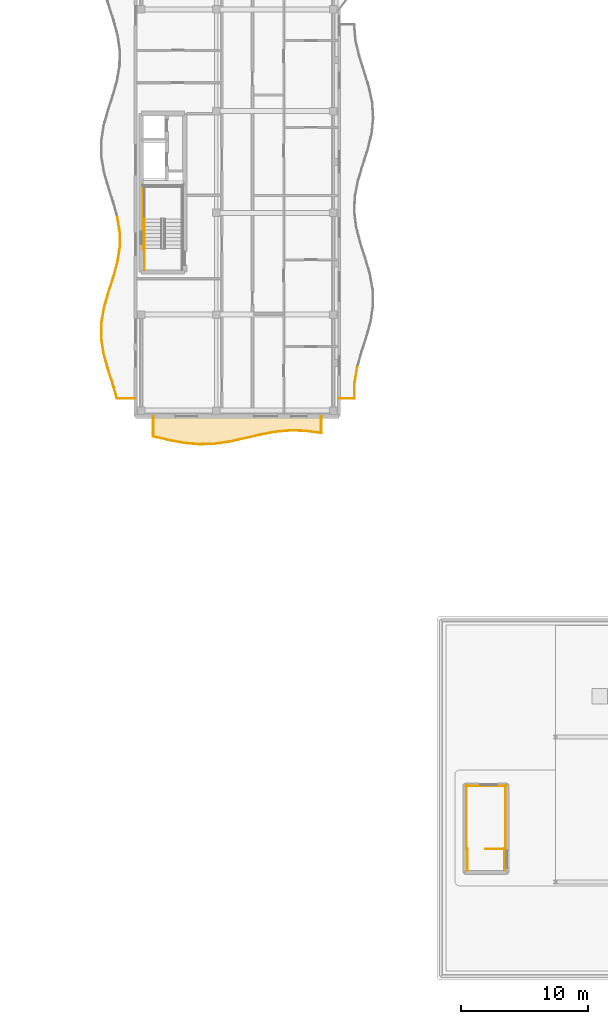
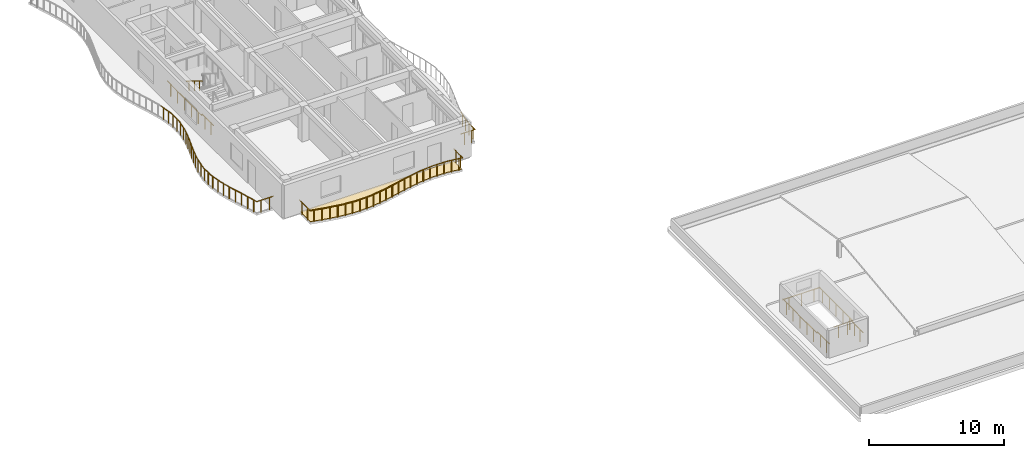
# One storey, part 60 of 79: 38 railings, 1 covering.
"""IFC4 building model written with IfcOpenShell, lengths in metres."""

from ifc_helpers import new_model, si_unit, direction, frame, origin, origin_2d, place, context, subcontext, project, spatial, polyline, circle, outline, extrude, material, layer, layer_set, type_object, element, save


model = new_model("IFC4")

# Units and contexts
model_context = context("Model", 3, precision=1e-05, world=origin(), true_north=direction((0.0, 1.0)))
body_context = subcontext(model_context, "Body", "Model", "MODEL_VIEW")
ifc_project = project(units=[si_unit("LENGTHUNIT", "METRE"), si_unit("AREAUNIT", "SQUARE_METRE"), si_unit("VOLUMEUNIT", "CUBIC_METRE"), si_unit("PLANEANGLEUNIT", "RADIAN"), si_unit("MASSUNIT", "GRAM", prefix="KILO")], contexts=[model_context])

# Site, building, storey
site_placement = place(None, origin())
site = spatial("IfcSite", under=ifc_project, at=site_placement, CompositionType="ELEMENT")
building_placement = place(site_placement, origin())
building = spatial("IfcBuilding", under=site, at=building_placement, Name="Keldmere Railside Commons", CompositionType="ELEMENT")
storey_placement = place(building_placement, frame((0.0, 0.0, 10.56005859375)))
storey = spatial("IfcBuildingStorey", under=building, at=storey_placement, Name="L03", CompositionType="ELEMENT", Elevation=10.56005859375)

# Railings
ifc_material_1 = material(Name="Steel F-24 (S235)", Category="steel")
railing_type_1 = type_object("IfcRailingType", Name="Balcony & Terrace Steel Balustrade 1100", PredefinedType="BALUSTRADE", material=ifc_material_1)
railing_1_placement = place(storey_placement, frame((120.0, 57.39990234375, 0.0)))
element("IfcRailing", 1, at=railing_1_placement, inside=storey, type_object=railing_type_1, Name="GR-1 GRD-L03-2143", PredefinedType="BALUSTRADE", context=body_context, shape_type="SweptSolid", body=[
    extrude(circle(Radius=0.02392578125, at=origin_2d()), frame((0.0, 0.0, 1.076171875), z_axis=(1.0, 0.0, 0.0), x_axis=(0.0, 1.0, 0.0)), (0.0, 0.0, 1.0), 1.2255859375),
    extrude(circle(Radius=0.02099609375, at=origin_2d()), frame((0.306396484375, 0.0, 0.0)), (0.0, 0.0, 1.0), 1.048095703125),
    extrude(circle(Radius=0.02099609375, at=origin_2d()), frame((0.919189453125, 0.0, 0.0)), (0.0, 0.0, 1.0), 1.048095703125),
])
railing_2_placement = place(storey_placement, frame((121.2255859375, 57.39990234375, 0.0)))
element("IfcRailing", 2, at=railing_2_placement, inside=storey, type_object=railing_type_1, Name="GR-1 GRD-L03-2144", PredefinedType="BALUSTRADE", context=body_context, shape_type="SweptSolid", body=[
    extrude(circle(Radius=0.02392578125, at=origin_2d()), frame((0.0, 0.0, 1.076171875), z_axis=(0.001594258636, 0.999998729169, 0.0), x_axis=(-0.999998729169, 0.001594258636, 0.0)), (0.0, 0.0, 1.0), 1.22509765625),
    extrude(circle(Radius=0.02099609375, at=origin_2d()), frame((0.00048828125, 0.30615234375, 0.0)), (0.0, 0.0, 1.0), 1.048095703125),
    extrude(circle(Radius=0.02099609375, at=origin_2d()), frame((0.00146484375, 0.9189453125, 0.0)), (0.0, 0.0, 1.0), 1.048095703125),
])
railing_3_placement = place(storey_placement, frame((121.2275390625, 58.625, 0.0)))
element("IfcRailing", 3, at=railing_3_placement, inside=storey, type_object=railing_type_1, Name="GR-1 GRD-L03-2145", PredefinedType="BALUSTRADE", context=body_context, shape_type="SweptSolid", body=[
    extrude(circle(Radius=0.02392578125, at=origin_2d()), frame((0.0, 0.0, 1.076171875), z_axis=(0.163761356427, 0.986499983853, 0.0), x_axis=(-0.986499983853, 0.163761356427, 0.0)), (0.0, 0.0, 1.0), 1.241943359375),
    extrude(circle(Radius=0.02099609375, at=origin_2d()), frame((0.05078125, 0.30615234375, 0.0)), (0.0, 0.0, 1.0), 1.048095703125),
    extrude(circle(Radius=0.02099609375, at=origin_2d()), frame((0.152587890625, 0.9189453125, 0.0)), (0.0, 0.0, 1.0), 1.048095703125),
])
railing_4_placement = place(storey_placement, frame((104.0, 57.39990234375, 0.0)))
element("IfcRailing", 4, at=railing_4_placement, inside=storey, type_object=railing_type_1, Name="GR-1 GRD-L03-2169", PredefinedType="BALUSTRADE", context=body_context, shape_type="SweptSolid", body=[
    extrude(circle(Radius=0.02392578125, at=origin_2d()), frame((0.0, 0.0, 1.076171875), z_axis=(-1.0, 0.0, 0.0), x_axis=(0.0, -1.0, 0.0)), (0.0, 0.0, 1.0), 1.447998046875),
    extrude(circle(Radius=0.02099609375, at=origin_2d()), frame((-0.362060546875, 0.0, 0.0)), (0.0, 0.0, 1.0), 1.048095703125),
    extrude(circle(Radius=0.02099609375, at=origin_2d()), frame((-1.0859375, 0.0, 0.0)), (0.0, 0.0, 1.0), 1.048095703125),
])
railing_5_placement = place(storey_placement, frame((102.552001953125, 57.39990234375, 0.0)))
element("IfcRailing", 5, at=railing_5_placement, inside=storey, type_object=railing_type_1, Name="GR-1 GRD-L03-2170", PredefinedType="BALUSTRADE", context=body_context, shape_type="SweptSolid", body=[
    extrude(circle(Radius=0.02392578125, at=origin_2d()), frame((0.0, 0.0, 1.076171875), z_axis=(-0.276649144412, 0.960970993785, 0.0), x_axis=(-0.960970993785, -0.276649144412, 0.0)), (0.0, 0.0, 1.0), 1.2373046875),
    extrude(circle(Radius=0.02099609375, at=origin_2d()), frame((-0.08544921875, 0.29736328125, 0.0)), (0.0, 0.0, 1.0), 1.048095703125),
    extrude(circle(Radius=0.02099609375, at=origin_2d()), frame((-0.2568359375, 0.8916015625, 0.0)), (0.0, 0.0, 1.0), 1.048095703125),
])
railing_6_placement = place(storey_placement, frame((102.209716796875, 58.5888671875, 0.0)))
element("IfcRailing", 6, at=railing_6_placement, inside=storey, type_object=railing_type_1, Name="GR-1 GRD-L03-2171", PredefinedType="BALUSTRADE", context=body_context, shape_type="SweptSolid", body=[
    extrude(circle(Radius=0.02392578125, at=origin_2d()), frame((0.0, 0.0, 1.076171875), z_axis=(-0.307716246559, 0.951478171901, 0.0), x_axis=(-0.951478171901, -0.307716246559, 0.0)), (0.0, 0.0, 1.0), 1.24951171875),
    extrude(circle(Radius=0.02099609375, at=origin_2d()), frame((-0.09619140625, 0.29736328125, 0.0)), (0.0, 0.0, 1.0), 1.048095703125),
    extrude(circle(Radius=0.02099609375, at=origin_2d()), frame((-0.288330078125, 0.8916015625, 0.0)), (0.0, 0.0, 1.0), 1.048095703125),
])
railing_7_placement = place(storey_placement, frame((101.8251953125, 59.77783203125, 0.0)))
element("IfcRailing", 7, at=railing_7_placement, inside=storey, type_object=railing_type_1, Name="GR-1 GRD-L03-2172", PredefinedType="BALUSTRADE", context=body_context, shape_type="SweptSolid", body=[
    extrude(circle(Radius=0.02392578125, at=origin_2d()), frame((0.0, 0.0, 1.076171875), z_axis=(-0.263821224684, 0.964571594754, 0.0), x_axis=(-0.964571594754, -0.263821224684, 0.0)), (0.0, 0.0, 1.0), 1.232666015625),
    extrude(circle(Radius=0.02099609375, at=origin_2d()), frame((-0.081298828125, 0.29736328125, 0.0)), (0.0, 0.0, 1.0), 1.048095703125),
    extrude(circle(Radius=0.02099609375, at=origin_2d()), frame((-0.243896484375, 0.8916015625, 0.0)), (0.0, 0.0, 1.0), 1.048095703125),
])
railing_8_placement = place(storey_placement, frame((101.5, 60.966796875, 0.0)))
element("IfcRailing", 8, at=railing_8_placement, inside=storey, type_object=railing_type_1, Name="GR-1 GRD-L03-2173", PredefinedType="BALUSTRADE", context=body_context, shape_type="SweptSolid", body=[
    extrude(circle(Radius=0.02392578125, at=origin_2d()), frame((0.0, 0.0, 1.076171875), z_axis=(-0.150058009109, 0.988677193983, 0.0), x_axis=(-0.988677193983, -0.150058009109, 0.0)), (0.0, 0.0, 1.0), 1.202392578125),
    extrude(circle(Radius=0.02099609375, at=origin_2d()), frame((-0.045166015625, 0.297119140625, 0.0)), (0.0, 0.0, 1.0), 1.048095703125),
    extrude(circle(Radius=0.02099609375, at=origin_2d()), frame((-0.13525390625, 0.8916015625, 0.0)), (0.0, 0.0, 1.0), 1.048095703125),
])
railing_9_placement = place(storey_placement, frame((101.319580078125, 62.155517578125, 0.0)))
element("IfcRailing", 9, at=railing_9_placement, inside=storey, type_object=railing_type_1, Name="GR-1 GRD-L03-2174", PredefinedType="BALUSTRADE", context=body_context, shape_type="SweptSolid", body=[
    extrude(circle(Radius=0.02392578125, at=origin_2d()), frame((0.0, 0.0, 1.076171875), z_axis=(0.009855784121, 0.99995143058, 0.0), x_axis=(-0.99995143058, 0.009855784121, 0.0)), (0.0, 0.0, 1.0), 1.18896484375),
    extrude(circle(Radius=0.02099609375, at=origin_2d()), frame((0.0029296875, 0.29736328125, 0.0)), (0.0, 0.0, 1.0), 1.048095703125),
    extrude(circle(Radius=0.02099609375, at=origin_2d()), frame((0.0087890625, 0.8916015625, 0.0)), (0.0, 0.0, 1.0), 1.048095703125),
])
railing_10_placement = place(storey_placement, frame((101.331298828125, 63.344482421875, 0.0)))
element("IfcRailing", 10, at=railing_10_placement, inside=storey, type_object=railing_type_1, Name="GR-1 GRD-L03-2175", PredefinedType="BALUSTRADE", context=body_context, shape_type="SweptSolid", body=[
    extrude(circle(Radius=0.02392578125, at=origin_2d()), frame((0.0, 0.0, 1.076171875), z_axis=(0.166467565631, 0.986046930725, 0.0), x_axis=(-0.986046930725, 0.166467565631, 0.0)), (0.0, 0.0, 1.0), 1.20556640625),
    extrude(circle(Radius=0.02099609375, at=origin_2d()), frame((0.05029296875, 0.297119140625, 0.0)), (0.0, 0.0, 1.0), 1.048095703125),
    extrude(circle(Radius=0.02099609375, at=origin_2d()), frame((0.150390625, 0.8916015625, 0.0)), (0.0, 0.0, 1.0), 1.048095703125),
])
railing_11_placement = place(storey_placement, frame((101.531982421875, 64.533203125, 0.0)))
element("IfcRailing", 11, at=railing_11_placement, inside=storey, type_object=railing_type_1, Name="GR-1 GRD-L03-2176", PredefinedType="BALUSTRADE", context=body_context, shape_type="SweptSolid", body=[
    extrude(circle(Radius=0.02392578125, at=origin_2d()), frame((0.0, 0.0, 1.076171875), z_axis=(0.27281591316, 0.962066254229, 0.0), x_axis=(-0.962066254229, 0.27281591316, 0.0)), (0.0, 0.0, 1.0), 1.23583984375),
    extrude(circle(Radius=0.02099609375, at=origin_2d()), frame((0.084228515625, 0.29736328125, 0.0)), (0.0, 0.0, 1.0), 1.048095703125),
    extrude(circle(Radius=0.02099609375, at=origin_2d()), frame((0.2529296875, 0.8916015625, 0.0)), (0.0, 0.0, 1.0), 1.048095703125),
])
railing_12_placement = place(storey_placement, frame((101.869140625, 65.72216796875, 0.0)))
element("IfcRailing", 12, at=railing_12_placement, inside=storey, type_object=railing_type_1, Name="GR-1 GRD-L03-2177", PredefinedType="BALUSTRADE", context=body_context, shape_type="SweptSolid", body=[
    extrude(circle(Radius=0.02392578125, at=origin_2d()), frame((0.0, 0.0, 1.076171875), z_axis=(0.307893106044, 0.95142095586, 0.0), x_axis=(-0.95142095586, 0.307893106044, 0.0)), (0.0, 0.0, 1.0), 1.249755859375),
    extrude(circle(Radius=0.02099609375, at=origin_2d()), frame((0.09619140625, 0.29736328125, 0.0)), (0.0, 0.0, 1.0), 1.048095703125),
    extrude(circle(Radius=0.02099609375, at=origin_2d()), frame((0.28857421875, 0.8916015625, 0.0)), (0.0, 0.0, 1.0), 1.048095703125),
])
railing_13_placement = place(storey_placement, frame((102.25390625, 66.9111328125, 0.0)))
element("IfcRailing", 13, at=railing_13_placement, inside=storey, type_object=railing_type_1, Name="GR-1 GRD-L03-2178", PredefinedType="BALUSTRADE", context=body_context, shape_type="SweptSolid", body=[
    extrude(circle(Radius=0.02392578125, at=origin_2d()), frame((0.0, 0.0, 1.076171875), z_axis=(0.268235554398, 0.963353355398, 0.0), x_axis=(-0.963353355398, 0.268235554398, 0.0)), (0.0, 0.0, 1.0), 1.234130859375),
    extrude(circle(Radius=0.02099609375, at=origin_2d()), frame((0.082763671875, 0.29736328125, 0.0)), (0.0, 0.0, 1.0), 1.048095703125),
    extrude(circle(Radius=0.02099609375, at=origin_2d()), frame((0.248291015625, 0.8916015625, 0.0)), (0.0, 0.0, 1.0), 1.048095703125),
])
railing_14_placement = place(storey_placement, frame((102.5849609375, 68.10009765625, 0.0)))
element("IfcRailing", 14, at=railing_14_placement, inside=storey, type_object=railing_type_1, Name="GR-1 GRD-L03-2179", PredefinedType="BALUSTRADE", context=body_context, shape_type="SweptSolid", body=[
    extrude(circle(Radius=0.02392578125, at=origin_2d()), frame((0.0, 0.0, 1.076171875), z_axis=(0.157982591516, 0.987441897419, 0.0), x_axis=(-0.987441897419, 0.157982591516, 0.0)), (0.0, 0.0, 1.0), 1.203857421875),
    extrude(circle(Radius=0.02099609375, at=origin_2d()), frame((0.047607421875, 0.297119140625, 0.0)), (0.0, 0.0, 1.0), 1.048095703125),
    extrude(circle(Radius=0.02099609375, at=origin_2d()), frame((0.142578125, 0.8916015625, 0.0)), (0.0, 0.0, 1.0), 1.048095703125),
])
railing_15_placement = place(storey_placement, frame((102.775146484375, 69.288818359375, 0.0)))
element("IfcRailing", 15, at=railing_15_placement, inside=storey, type_object=railing_type_1, Name="GR-1 GRD-L03-2180", PredefinedType="BALUSTRADE", context=body_context, shape_type="SweptSolid", body=[
    extrude(circle(Radius=0.02392578125, at=origin_2d()), frame((0.0, 0.0, 1.076171875), z_axis=(-0.000410677583, 0.999999915672, 0.0), x_axis=(-0.999999915672, -0.000410677583, 0.0)), (0.0, 0.0, 1.0), 1.18896484375),
    extrude(circle(Radius=0.02099609375, at=origin_2d()), frame((0.0, 0.29736328125, 0.0)), (0.0, 0.0, 1.0), 1.048095703125),
    extrude(circle(Radius=0.02099609375, at=origin_2d()), frame((-0.00048828125, 0.8916015625, 0.0)), (0.0, 0.0, 1.0), 1.048095703125),
])
railing_16_placement = place(storey_placement, frame((102.774658203125, 70.477783203125, 0.0)))
element("IfcRailing", 16, at=railing_16_placement, inside=storey, type_object=railing_type_1, Name="GR-1 GRD-L03-2181", PredefinedType="BALUSTRADE", context=body_context, shape_type="SweptSolid", body=[
    extrude(circle(Radius=0.02392578125, at=origin_2d()), frame((0.0, 0.0, 1.076171875), z_axis=(-0.158741619154, 0.987320160003, 0.0), x_axis=(-0.987320160003, -0.158741619154, 0.0)), (0.0, 0.0, 1.0), 1.204345703125),
    extrude(circle(Radius=0.02099609375, at=origin_2d()), frame((-0.0478515625, 0.29736328125, 0.0)), (0.0, 0.0, 1.0), 1.048095703125),
    extrude(circle(Radius=0.02099609375, at=origin_2d()), frame((-0.143310546875, 0.8916015625, 0.0)), (0.0, 0.0, 1.0), 1.048095703125),
])
railing_17_placement = place(storey_placement, frame((105.39990234375, 56.0, 0.0)))
element("IfcRailing", 17, at=railing_17_placement, inside=storey, type_object=railing_type_1, Name="GR-1 GRD-L03-2224", PredefinedType="BALUSTRADE", context=body_context, shape_type="SweptSolid", body=[
    extrude(circle(Radius=0.02392578125, at=origin_2d()), frame((0.0, 0.0, 1.076171875), z_axis=(0.0, -1.0, 0.0), x_axis=(1.0, 0.0, 0.0)), (0.0, 0.0, 1.0), 1.576904296875),
    extrude(circle(Radius=0.02099609375, at=origin_2d()), frame((0.0, -0.394287109375, 0.0)), (0.0, 0.0, 1.0), 1.048095703125),
    extrude(circle(Radius=0.02099609375, at=origin_2d()), frame((0.0, -1.1826171875, 0.0)), (0.0, 0.0, 1.0), 1.048095703125),
])
railing_18_placement = place(storey_placement, frame((105.39990234375, 54.423095703125, 0.0)))
element("IfcRailing", 18, at=railing_18_placement, inside=storey, type_object=railing_type_1, Name="GR-1 GRD-L03-2225", PredefinedType="BALUSTRADE", context=body_context, shape_type="SweptSolid", body=[
    extrude(circle(Radius=0.02392578125, at=origin_2d()), frame((0.0, 0.0, 1.076171875), z_axis=(0.97340418268, -0.229094515737, 0.0), x_axis=(0.229094515737, 0.97340418268, 0.0)), (0.0, 0.0, 1.0), 1.23291015625),
    extrude(circle(Radius=0.02099609375, at=origin_2d()), frame((0.300048828125, -0.070556640625, 0.0)), (0.0, 0.0, 1.0), 1.048095703125),
    extrude(circle(Radius=0.02099609375, at=origin_2d()), frame((0.900146484375, -0.2119140625, 0.0)), (0.0, 0.0, 1.0), 1.048095703125),
])
railing_19_placement = place(storey_placement, frame((106.60009765625, 54.140625, 0.0)))
element("IfcRailing", 19, at=railing_19_placement, inside=storey, type_object=railing_type_1, Name="GR-1 GRD-L03-2226", PredefinedType="BALUSTRADE", context=body_context, shape_type="SweptSolid", body=[
    extrude(circle(Radius=0.02392578125, at=origin_2d()), frame((0.0, 0.0, 1.076171875), z_axis=(0.982674709897, -0.185338648235, 0.0), x_axis=(0.185338648235, 0.982674709897, 0.0)), (0.0, 0.0, 1.0), 1.22119140625),
    extrude(circle(Radius=0.02099609375, at=origin_2d()), frame((0.300048828125, -0.056640625, 0.0)), (0.0, 0.0, 1.0), 1.048095703125),
    extrude(circle(Radius=0.02099609375, at=origin_2d()), frame((0.89990234375, -0.169677734375, 0.0)), (0.0, 0.0, 1.0), 1.048095703125),
])
railing_20_placement = place(storey_placement, frame((107.800048828125, 53.914306640625, 0.0)))
element("IfcRailing", 20, at=railing_20_placement, inside=storey, type_object=railing_type_1, Name="GR-1 GRD-L03-2227", PredefinedType="BALUSTRADE", context=body_context, shape_type="SweptSolid", body=[
    extrude(circle(Radius=0.02392578125, at=origin_2d()), frame((0.0, 0.0, 1.076171875), z_axis=(0.995871587617, -0.090773239319, 0.0), x_axis=(0.090773239319, 0.995871587617, 0.0)), (0.0, 0.0, 1.0), 1.204833984375),
    extrude(circle(Radius=0.02099609375, at=origin_2d()), frame((0.300048828125, -0.02734375, 0.0)), (0.0, 0.0, 1.0), 1.048095703125),
    extrude(circle(Radius=0.02099609375, at=origin_2d()), frame((0.89990234375, -0.08203125, 0.0)), (0.0, 0.0, 1.0), 1.048095703125),
])
railing_21_placement = place(storey_placement, frame((109.0, 53.804931640625, 0.0)))
element("IfcRailing", 21, at=railing_21_placement, inside=storey, type_object=railing_type_1, Name="GR-1 GRD-L03-2228", PredefinedType="BALUSTRADE", context=body_context, shape_type="SweptSolid", body=[
    extrude(circle(Radius=0.02392578125, at=origin_2d()), frame((0.0, 0.0, 1.076171875), z_axis=(0.999540805922, 0.030301440505, 0.0), x_axis=(-0.030301440505, 0.999540805922, 0.0)), (0.0, 0.0, 1.0), 1.200439453125),
    extrude(circle(Radius=0.02099609375, at=origin_2d()), frame((0.300048828125, 0.009033203125, 0.0)), (0.0, 0.0, 1.0), 1.048095703125),
    extrude(circle(Radius=0.02099609375, at=origin_2d()), frame((0.89990234375, 0.02734375, 0.0)), (0.0, 0.0, 1.0), 1.048095703125),
])
railing_22_placement = place(storey_placement, frame((110.199951171875, 53.84130859375, 0.0)))
element("IfcRailing", 22, at=railing_22_placement, inside=storey, type_object=railing_type_1, Name="GR-1 GRD-L03-2229", PredefinedType="BALUSTRADE", context=body_context, shape_type="SweptSolid", body=[
    extrude(circle(Radius=0.02392578125, at=origin_2d()), frame((0.0, 0.0, 1.076171875), z_axis=(0.989783687035, 0.142577182181, 0.0), x_axis=(-0.142577182181, 0.989783687035, 0.0)), (0.0, 0.0, 1.0), 1.21240234375),
    extrude(circle(Radius=0.02099609375, at=origin_2d()), frame((0.300048828125, 0.043212890625, 0.0)), (0.0, 0.0, 1.0), 1.048095703125),
    extrude(circle(Radius=0.02099609375, at=origin_2d()), frame((0.89990234375, 0.129638671875, 0.0)), (0.0, 0.0, 1.0), 1.048095703125),
])
railing_23_placement = place(storey_placement, frame((111.39990234375, 54.01416015625, 0.0)))
element("IfcRailing", 23, at=railing_23_placement, inside=storey, type_object=railing_type_1, Name="GR-1 GRD-L03-2230", PredefinedType="BALUSTRADE", context=body_context, shape_type="SweptSolid", body=[
    extrude(circle(Radius=0.02392578125, at=origin_2d()), frame((0.0, 0.0, 1.076171875), z_axis=(0.976832561032, 0.214005017948, 0.0), x_axis=(-0.214005017948, 0.976832561032, 0.0)), (0.0, 0.0, 1.0), 1.228759765625),
    extrude(circle(Radius=0.02099609375, at=origin_2d()), frame((0.300048828125, 0.065673828125, 0.0)), (0.0, 0.0, 1.0), 1.048095703125),
    extrude(circle(Radius=0.02099609375, at=origin_2d()), frame((0.900146484375, 0.197265625, 0.0)), (0.0, 0.0, 1.0), 1.048095703125),
])
railing_24_placement = place(storey_placement, frame((112.60009765625, 54.277099609375, 0.0)))
element("IfcRailing", 24, at=railing_24_placement, inside=storey, type_object=railing_type_1, Name="GR-1 GRD-L03-2231", PredefinedType="BALUSTRADE", context=body_context, shape_type="SweptSolid", body=[
    extrude(circle(Radius=0.02392578125, at=origin_2d()), frame((0.0, 0.0, 1.076171875), z_axis=(0.973437943818, 0.22895101995, 0.0), x_axis=(-0.22895101995, 0.973437943818, 0.0)), (0.0, 0.0, 1.0), 1.232666015625),
    extrude(circle(Radius=0.02099609375, at=origin_2d()), frame((0.300048828125, 0.070556640625, 0.0)), (0.0, 0.0, 1.0), 1.048095703125),
    extrude(circle(Radius=0.02099609375, at=origin_2d()), frame((0.89990234375, 0.211669921875, 0.0)), (0.0, 0.0, 1.0), 1.048095703125),
])
railing_25_placement = place(storey_placement, frame((113.800048828125, 54.559326171875, 0.0)))
element("IfcRailing", 25, at=railing_25_placement, inside=storey, type_object=railing_type_1, Name="GR-1 GRD-L03-2232", PredefinedType="BALUSTRADE", context=body_context, shape_type="SweptSolid", body=[
    extrude(circle(Radius=0.02392578125, at=origin_2d()), frame((0.0, 0.0, 1.076171875), z_axis=(0.982674709897, 0.185338648235, 0.0), x_axis=(-0.185338648235, 0.982674709897, 0.0)), (0.0, 0.0, 1.0), 1.22119140625),
    extrude(circle(Radius=0.02099609375, at=origin_2d()), frame((0.300048828125, 0.056640625, 0.0)), (0.0, 0.0, 1.0), 1.048095703125),
    extrude(circle(Radius=0.02099609375, at=origin_2d()), frame((0.89990234375, 0.169677734375, 0.0)), (0.0, 0.0, 1.0), 1.048095703125),
])
railing_26_placement = place(storey_placement, frame((115.0, 54.78564453125, 0.0)))
element("IfcRailing", 26, at=railing_26_placement, inside=storey, type_object=railing_type_1, Name="GR-1 GRD-L03-2233", PredefinedType="BALUSTRADE", context=body_context, shape_type="SweptSolid", body=[
    extrude(circle(Radius=0.02392578125, at=origin_2d()), frame((0.0, 0.0, 1.076171875), z_axis=(0.995871587617, 0.090773239319, 0.0), x_axis=(-0.090773239319, 0.995871587617, 0.0)), (0.0, 0.0, 1.0), 1.204833984375),
    extrude(circle(Radius=0.02099609375, at=origin_2d()), frame((0.300048828125, 0.02734375, 0.0)), (0.0, 0.0, 1.0), 1.048095703125),
    extrude(circle(Radius=0.02099609375, at=origin_2d()), frame((0.89990234375, 0.08203125, 0.0)), (0.0, 0.0, 1.0), 1.048095703125),
])
railing_27_placement = place(storey_placement, frame((116.199951171875, 54.89501953125, 0.0)))
element("IfcRailing", 27, at=railing_27_placement, inside=storey, type_object=railing_type_1, Name="GR-1 GRD-L03-2234", PredefinedType="BALUSTRADE", context=body_context, shape_type="SweptSolid", body=[
    extrude(circle(Radius=0.02392578125, at=origin_2d()), frame((0.0, 0.0, 1.076171875), z_axis=(0.999540805922, -0.030301440505, 0.0), x_axis=(0.030301440505, 0.999540805922, 0.0)), (0.0, 0.0, 1.0), 1.200439453125),
    extrude(circle(Radius=0.02099609375, at=origin_2d()), frame((0.300048828125, -0.009033203125, 0.0)), (0.0, 0.0, 1.0), 1.048095703125),
    extrude(circle(Radius=0.02099609375, at=origin_2d()), frame((0.89990234375, -0.02734375, 0.0)), (0.0, 0.0, 1.0), 1.048095703125),
])
railing_28_placement = place(storey_placement, frame((117.39990234375, 54.858642578125, 0.0)))
element("IfcRailing", 28, at=railing_28_placement, inside=storey, type_object=railing_type_1, Name="GR-1 GRD-L03-2235", PredefinedType="BALUSTRADE", context=body_context, shape_type="SweptSolid", body=[
    extrude(circle(Radius=0.02392578125, at=origin_2d()), frame((0.0, 0.0, 1.076171875), z_axis=(0.989787779519, -0.142548768897, 0.0), x_axis=(0.142548768897, 0.989787779519, 0.0)), (0.0, 0.0, 1.0), 1.212646484375),
    extrude(circle(Radius=0.02099609375, at=origin_2d()), frame((0.300048828125, -0.043212890625, 0.0)), (0.0, 0.0, 1.0), 1.048095703125),
    extrude(circle(Radius=0.02099609375, at=origin_2d()), frame((0.900146484375, -0.129638671875, 0.0)), (0.0, 0.0, 1.0), 1.048095703125),
])
railing_29_placement = place(storey_placement, frame((118.60009765625, 54.685791015625, 0.0)))
element("IfcRailing", 29, at=railing_29_placement, inside=storey, type_object=railing_type_1, Name="GR-1 GRD-L03-2236", PredefinedType="BALUSTRADE", context=body_context, shape_type="SweptSolid", body=[
    extrude(circle(Radius=0.02392578125, at=origin_2d()), frame((0.0, 0.0, 1.076171875), z_axis=(0.0, 1.0, 0.0), x_axis=(-1.0, 0.0, 0.0)), (0.0, 0.0, 1.0), 1.314208984375),
    extrude(circle(Radius=0.02099609375, at=origin_2d()), frame((0.0, 0.32861328125, 0.0)), (0.0, 0.0, 1.0), 1.048095703125),
    extrude(circle(Radius=0.02099609375, at=origin_2d()), frame((0.0, 0.985595703125, 0.0)), (0.0, 0.0, 1.0), 1.048095703125),
])
railing_type_2 = type_object("IfcRailingType", Name="Stair Well Steel Guardrail 1100", PredefinedType="BALUSTRADE", material=ifc_material_1)
railing_30_placement = place(storey_placement, frame((104.699951171875, 67.5, 0.0)))
element("IfcRailing", 30, at=railing_30_placement, inside=storey, type_object=railing_type_2, Name="L03 ST-B1 stair guard 9", PredefinedType="BALUSTRADE", context=body_context, shape_type="SweptSolid", body=[
    extrude(circle(Radius=0.02392578125, at=origin_2d()), frame((0.0, 0.0, 1.076171875), z_axis=(0.0, 1.0, 0.0), x_axis=(-1.0, 0.0, 0.0)), (0.0, 0.0, 1.0), 1.699951171875),
    extrude(circle(Radius=0.02099609375, at=origin_2d()), frame((0.0, 0.425048828125, 0.0)), (0.0, 0.0, 1.0), 1.048095703125),
    extrude(circle(Radius=0.02099609375, at=origin_2d()), frame((0.0, 1.27490234375, 0.0)), (0.0, 0.0, 1.0), 1.048095703125),
])
railing_31_placement = place(storey_placement, frame((104.60009765625, 69.10009765625, 0.0)))
element("IfcRailing", 31, at=railing_31_placement, inside=storey, type_object=railing_type_2, Name="L03 ST-B1 stair guard 11", PredefinedType="BALUSTRADE", context=body_context, shape_type="SweptSolid", body=[
    extrude(circle(Radius=0.02392578125, at=origin_2d()), frame((0.0, 0.0, 1.076171875), z_axis=(0.0, 1.0, 0.0), x_axis=(-1.0, 0.0, 0.0)), (0.0, 0.0, 1.0), 5.099853515625),
    extrude(circle(Radius=0.02099609375, at=origin_2d()), frame((0.0, 0.510009765625, 0.0)), (0.0, 0.0, 1.0), 1.048095703125),
    extrude(circle(Radius=0.02099609375, at=origin_2d()), frame((0.0, 1.530029296875, 0.0)), (0.0, 0.0, 1.0), 1.048095703125),
    extrude(circle(Radius=0.02099609375, at=origin_2d()), frame((0.0, 2.5498046875, 0.0)), (0.0, 0.0, 1.0), 1.048095703125),
    extrude(circle(Radius=0.02099609375, at=origin_2d()), frame((0.0, 3.56982421875, 0.0)), (0.0, 0.0, 1.0), 1.048095703125),
    extrude(circle(Radius=0.02099609375, at=origin_2d()), frame((0.0, 4.58984375, 0.0)), (0.0, 0.0, 1.0), 1.048095703125),
])
railing_32_placement = place(storey_placement, frame((133.050048828125, 22.0, 0.0)))
element("IfcRailing", 32, at=railing_32_placement, inside=storey, type_object=railing_type_2, Name="L03 ST-M1 top well guard 1", PredefinedType="BALUSTRADE", context=body_context, shape_type="SweptSolid", body=[
    extrude(circle(Radius=0.02392578125, at=origin_2d()), frame((0.0, 0.0, 1.076171875), z_axis=(-1.0, 0.0, 0.0), x_axis=(0.0, -1.0, 0.0)), (0.0, 0.0, 1.0), 1.570068359375),
    extrude(circle(Radius=0.02099609375, at=origin_2d()), frame((-0.392578125, 0.0, 0.0)), (0.0, 0.0, 1.0), 1.048095703125),
    extrude(circle(Radius=0.02099609375, at=origin_2d()), frame((-1.177490234375, 0.0, 0.0)), (0.0, 0.0, 1.0), 1.048095703125),
])
for number, where, name in (
    (33, (133.10009765625, 21.949951171875, 0.0), "L03 ST-M1 top well guard 2"),
    (34, (130.010009765625, 21.949951171875, 0.0), "L03 ST-M1 top well guard 3"),
):
    element("IfcRailing", number, at=place(storey_placement, frame(where)), inside=storey, type_object=railing_type_2, Name=name, PredefinedType="BALUSTRADE", context=body_context, shape_type="SweptSolid", body=[
        extrude(circle(Radius=0.02392578125, at=origin_2d()), frame((0.0, 0.0, 1.076171875), z_axis=(0.0, 1.0, 0.0), x_axis=(-1.0, 0.0, 0.0)), (0.0, 0.0, 1.0), 5.050048828125),
        extrude(circle(Radius=0.02099609375, at=origin_2d()), frame((0.0, 0.5048828125, 0.0)), (0.0, 0.0, 1.0), 1.048095703125),
        extrude(circle(Radius=0.02099609375, at=origin_2d()), frame((0.0, 1.51513671875, 0.0)), (0.0, 0.0, 1.0), 1.048095703125),
        extrude(circle(Radius=0.02099609375, at=origin_2d()), frame((0.0, 2.52490234375, 0.0)), (0.0, 0.0, 1.0), 1.048095703125),
        extrude(circle(Radius=0.02099609375, at=origin_2d()), frame((0.0, 3.534912109375, 0.0)), (0.0, 0.0, 1.0), 1.048095703125),
        extrude(circle(Radius=0.02099609375, at=origin_2d()), frame((0.0, 4.544921875, 0.0)), (0.0, 0.0, 1.0), 1.048095703125),
    ])
railing_33_placement = place(storey_placement, frame((133.14990234375, 26.949951171875, 0.0)))
element("IfcRailing", 35, at=railing_33_placement, inside=storey, type_object=railing_type_2, Name="L03 ST-M1 top well guard 4", PredefinedType="BALUSTRADE", context=body_context, shape_type="SweptSolid", body=[
    extrude(circle(Radius=0.02392578125, at=origin_2d()), frame((0.0, 0.0, 1.076171875), z_axis=(-1.0, 0.0, 0.0), x_axis=(0.0, -1.0, 0.0)), (0.0, 0.0, 1.0), 3.18994140625),
    extrude(circle(Radius=0.02099609375, at=origin_2d()), frame((-0.53173828125, 0.0, 0.0)), (0.0, 0.0, 1.0), 1.048095703125),
    extrude(circle(Radius=0.02099609375, at=origin_2d()), frame((-1.594970703125, 0.0, 0.0)), (0.0, 0.0, 1.0), 1.048095703125),
    extrude(circle(Radius=0.02099609375, at=origin_2d()), frame((-2.658203125, 0.0, 0.0)), (0.0, 0.0, 1.0), 1.048095703125),
])
for number, where, name in (
    (36, (133.0, 20.300048828125, 0.0), "L03 ST-M1 top well guard 5"),
    (37, (130.110107421875, 20.300048828125, 0.0), "L03 ST-M1 top well guard 6"),
):
    element("IfcRailing", number, at=place(storey_placement, frame(where)), inside=storey, type_object=railing_type_2, Name=name, PredefinedType="BALUSTRADE", context=body_context, shape_type="SweptSolid", body=[
        extrude(circle(Radius=0.02392578125, at=origin_2d()), frame((0.0, 0.0, 1.076171875), z_axis=(0.0, 1.0, 0.0), x_axis=(-1.0, 0.0, 0.0)), (0.0, 0.0, 1.0), 1.75),
        extrude(circle(Radius=0.02099609375, at=origin_2d()), frame((0.0, 0.4375, 0.0)), (0.0, 0.0, 1.0), 1.048095703125),
        extrude(circle(Radius=0.02099609375, at=origin_2d()), frame((0.0, 1.3125, 0.0)), (0.0, 0.0, 1.0), 1.048095703125),
    ])
railing_type_3 = type_object("IfcRailingType", Name="Wall-Mounted Tubular Steel Handrail 900", PredefinedType="HANDRAIL", material=ifc_material_1)
railing_34_placement = place(storey_placement, frame((104.699951171875, 71.52001953125, 1.77783203125)))
element("IfcRailing", 38, at=railing_34_placement, inside=storey, type_object=railing_type_3, Name="L03 ST-B1 stair handrail 2", PredefinedType="HANDRAIL", context=body_context, shape_type="SweptSolid", body=[
    extrude(circle(Radius=0.02392578125, at=origin_2d()), frame((0.0, 0.0, 0.8759765625), z_axis=(0.0, -0.852578041948, 0.522599925744), x_axis=(1.0, 0.0, 0.0)), (0.0, 0.0, 1.0), 2.72119140625),
    extrude(circle(Radius=0.02099609375, at=origin_2d()), frame((0.0, -0.38671875, 0.237060546875)), (0.0, 0.0, 1.0), 0.847900390625),
    extrude(circle(Radius=0.02099609375, at=origin_2d()), frame((0.0, -1.16015625, 0.7109375)), (0.0, 0.0, 1.0), 0.847900390625),
    extrude(circle(Radius=0.02099609375, at=origin_2d()), frame((0.0, -1.933349609375, 1.18505859375)), (0.0, 0.0, 1.0), 0.847900390625),
])

# Covering
ifc_material_2 = material(Name="White Precast Concrete C35/45", Category="concrete")
ifc_layer = layer(ifc_material_2, 0.044921875, Name="White Architectural Balcony Ribbon Cladding 45")
ifc_layer_set = layer_set([ifc_layer], Name="White Precast Concrete C35/45")
covering_type = type_object("IfcCoveringType", Name="White Architectural Balcony Ribbon Cladding 45", PredefinedType="FLOORING", material=ifc_layer_set)
covering_placement = place(storey_placement, origin())
element("IfcCovering", 39, at=covering_placement, inside=storey, type_object=covering_type, Name="CLG-WB B L03 S White Balcony Ribbon", PredefinedType="FLOORING", context=body_context, shape_type="SweptSolid", body=[
    extrude(outline(polyline([(106.6083984375, 54.1796875), (107.805419921875, 53.9541015625), (109.001220703125, 53.844970703125), (110.196533203125, 53.88134765625), (111.392822265625, 54.0537109375), (112.591064453125, 54.31591796875), (113.790771484375, 54.59814453125), (113.79248046875, 54.5986328125), (114.99267578125, 54.824951171875), (114.996337890625, 54.825439453125), (116.1962890625, 54.934814453125), (116.201171875, 54.93505859375), (117.401123046875, 54.898681640625), (117.40576171875, 54.898193359375), (118.56005859375, 54.73193359375), (118.56005859375, 55.9599609375), (105.43994140625, 55.9599609375), (105.43994140625, 54.45458984375), (106.6083984375, 54.1796875)])), origin(), (0.0, 0.0, 1.0), 0.044921875),
])

save(model, "model.ifc")
